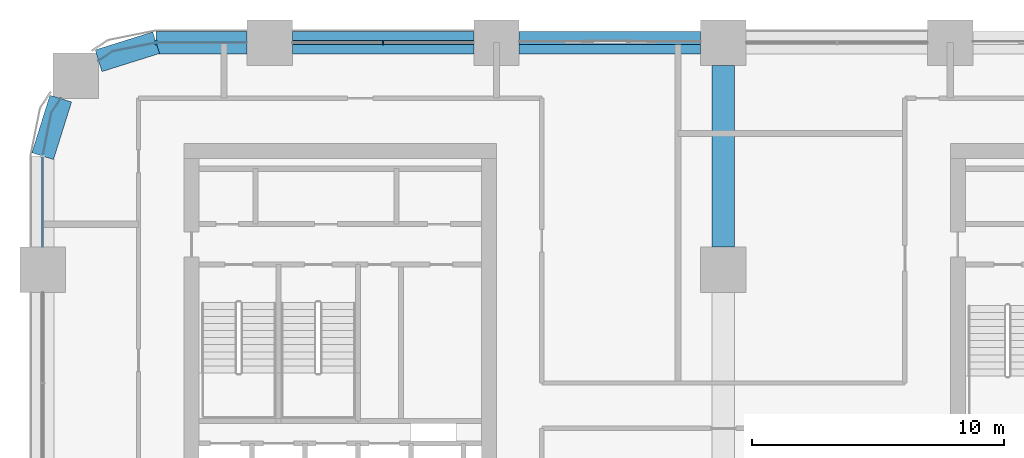
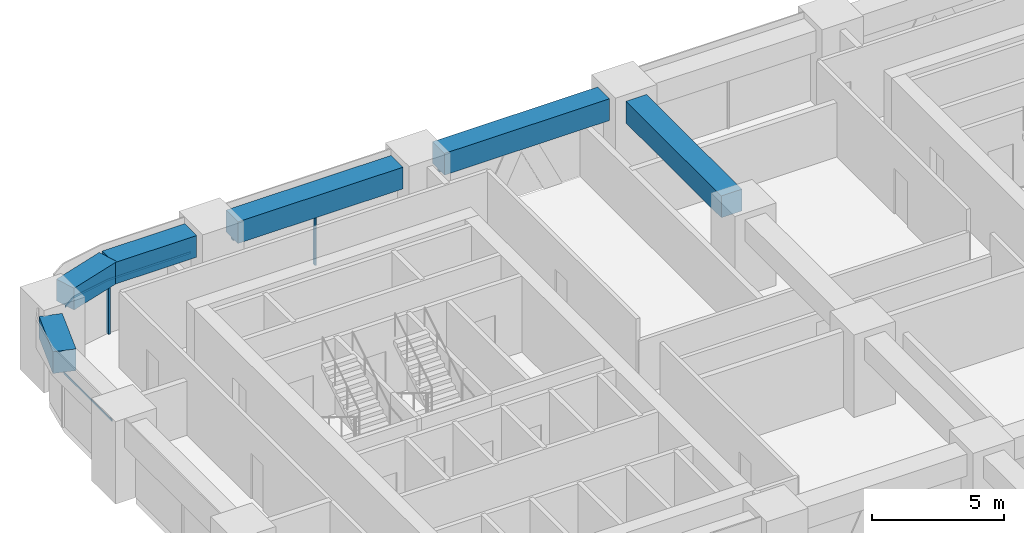
# One storey, part 8 of 24: 6 beams, 6 members, 4 elements without a shape of their own.
"""IFC4 building model written with IfcOpenShell, lengths in metres."""

import ifcopenshell
import ifcopenshell.guid

model = None  # the IFC model being written
_history = None  # IfcOwnerHistory: only IFC2X3 demands one
_inside = {}  # id of a spatial element -> (the spatial element, [elements in it])
_under = {}  # id of a project, library or spatial element -> (it, [spatial elements below it])
_declared = {}  # id of a project -> (the project, [libraries it declares])
_typed = {}  # id of a type object -> (the type object, [elements of that type])
_made_of = {}  # id of a material, layer set ... -> (it, [elements and type objects made of it])


def new_model(schema):
    """Start an empty IFC model of exactly this schema.

    Asked for "IFC4X3", IfcOpenShell would pick the latest addendum, in which some entities
    have other attributes; the version numbers below select the first issue.
    IFC2X3 requires an IfcOwnerHistory on every rooted entity: one is made here for all.
    """
    global model, _history
    if schema == "IFC4X3":
        model = ifcopenshell.file(schema_version=(4, 3, 0, 0))
    else:
        model = ifcopenshell.file(schema=schema)
    _inside.clear()
    _under.clear()
    _declared.clear()
    _typed.clear()
    _made_of.clear()
    _history = None
    if model.schema == "IFC2X3":
        org = make("IfcOrganization", Name="unknown")
        user = make(
            "IfcPersonAndOrganization",
            ThePerson=make("IfcPerson", FamilyName="unknown"),
            TheOrganization=org,
        )
        app = make(
            "IfcApplication",
            ApplicationDeveloper=org,
            Version="unknown",
            ApplicationFullName="unknown",
            ApplicationIdentifier="unknown",
        )
        _history = make(
            "IfcOwnerHistory",
            OwningUser=user,
            OwningApplication=app,
            ChangeAction="ADDED",
            CreationDate=0,
        )
    return model


def make(cls, **values):
    """One entity of the class cls with the attributes given. An attribute that is None is left unset."""
    return model.create_entity(
        cls, **{name: value for name, value in values.items() if value is not None}
    )


def rooted(cls, **values):
    """An entity with a GlobalId (a new one), such as an element, a storey or a relation."""
    return make(cls, GlobalId=ifcopenshell.guid.new(), OwnerHistory=_history, **values)


def si_unit(unit_type, name, prefix=None):
    """IfcSIUnit, for example si_unit("LENGTHUNIT", "METRE", prefix="MILLI")."""
    return make("IfcSIUnit", UnitType=unit_type, Prefix=prefix, Name=name)


def assignment(units):
    """IfcUnitAssignment: the units of a project."""
    return None if units is None else make("IfcUnitAssignment", Units=units)


def point(xyz):
    """IfcCartesianPoint."""
    return None if xyz is None else make("IfcCartesianPoint", Coordinates=xyz)


def direction(xyz):
    """IfcDirection."""
    return None if xyz is None else make("IfcDirection", DirectionRatios=xyz)


def frame(location, z_axis=None, x_axis=None):
    """IfcAxis2Placement3D, a coordinate frame: its origin and axes. An axis left out is left unset."""
    return make(
        "IfcAxis2Placement3D",
        Location=point(location),
        Axis=direction(z_axis),
        RefDirection=direction(x_axis),
    )


def frame_2d(location, x_axis=None):
    """IfcAxis2Placement2D, a coordinate frame in the plane: its origin and x axis."""
    return make(
        "IfcAxis2Placement2D", Location=point(location), RefDirection=direction(x_axis)
    )


def origin():
    """The frame at (0, 0, 0) with its axes left unset."""
    return frame((0.0, 0.0, 0.0))


def origin_2d():
    """The frame at (0, 0) in the plane with its x axis left unset."""
    return frame_2d((0.0, 0.0))


def place(relative_to, where):
    """IfcLocalPlacement: puts the frame where relative to a parent placement (None: the world)."""
    return make(
        "IfcLocalPlacement", PlacementRelTo=relative_to, RelativePlacement=where
    )


def context(
    kind, dimensions, precision=None, world=None, true_north=None, identifier=None
):
    """IfcGeometricRepresentationContext, for example the 3D "Model" context."""
    return make(
        "IfcGeometricRepresentationContext",
        ContextIdentifier=identifier,
        ContextType=kind,
        CoordinateSpaceDimension=dimensions,
        Precision=precision,
        WorldCoordinateSystem=world,
        TrueNorth=true_north,
    )


def subcontext(parent, identifier, kind, view, scale=None):
    """IfcGeometricRepresentationSubContext, for example "Body" below "Model"."""
    return make(
        "IfcGeometricRepresentationSubContext",
        ContextIdentifier=identifier,
        ContextType=kind,
        ParentContext=parent,
        TargetScale=scale,
        TargetView=view,
    )


def project(units=None, contexts=None):
    """IfcProject with its units and contexts."""
    return rooted(
        "IfcProject",
        Name="project",
        RepresentationContexts=contexts,
        UnitsInContext=assignment(units),
    )


def spatial(cls, under=None, at=None, **own):
    """A site, building, storey or space (cls), placed at a placement, below another one or the project."""
    s = rooted(cls, ObjectPlacement=at, **own)
    if under is not None:
        _under.setdefault(under.id(), (under, []))[1].append(s)
    return s


def polyline(points):
    """IfcPolyline through the points."""
    return make("IfcPolyline", Points=[point(p) for p in points])


def profile(cls, at=None, kind="AREA", **sizes):
    """A parametric profile (cls). Its sizes go by their IFC names, for example OverallWidth=200.0."""
    return make(cls, ProfileType=kind, Position=at, **sizes)


def rectangle(**sizes):
    """IfcRectangleProfileDef."""
    return profile("IfcRectangleProfileDef", **sizes)


def outline(outer, holes=None, kind="AREA"):
    """IfcArbitraryClosedProfileDef: a profile drawn as a closed curve; with holes, ...WithVoids."""
    if holes is None:
        return make("IfcArbitraryClosedProfileDef", ProfileType=kind, OuterCurve=outer)
    return make(
        "IfcArbitraryProfileDefWithVoids",
        ProfileType=kind,
        OuterCurve=outer,
        InnerCurves=holes,
    )


def extrude(swept, where, along, depth):
    """IfcExtrudedAreaSolid: the profile swept, set in the frame where, extruded along a direction by depth."""
    return make(
        "IfcExtrudedAreaSolid",
        SweptArea=swept,
        Position=where,
        ExtrudedDirection=direction(along),
        Depth=depth,
    )


def shape(context_of_items, identifier, shape_type, items):
    """IfcShapeRepresentation: the items that make up one representation, for example the "Body"."""
    return make(
        "IfcShapeRepresentation",
        ContextOfItems=context_of_items,
        RepresentationIdentifier=identifier,
        RepresentationType=shape_type,
        Items=items,
    )


def material(Name=None, Category=None):
    """IfcMaterial."""
    return make("IfcMaterial", Name=Name, Category=Category)


def material_profile(
    of_material, cross_section, Name=None, Category=None, Priority=None
):
    """IfcMaterialProfile: a cross section and its material."""
    return make(
        "IfcMaterialProfile",
        Name=Name,
        Material=of_material,
        Profile=cross_section,
        Priority=Priority,
        Category=Category,
    )


def profile_set(profiles, Name=None, composite=None):
    """IfcMaterialProfileSet."""
    return make(
        "IfcMaterialProfileSet",
        Name=Name,
        MaterialProfiles=profiles,
        CompositeProfile=composite,
    )


def made_of(thing, what):
    """Note that an element or type object is made of a material, layer set ...; save() writes the relation."""
    if what is not None:
        _made_of.setdefault(what.id(), (what, []))[1].append(thing)
    return thing


def type_object(cls, material=None, **own):
    """A type object (cls), such as IfcWallType, which elements share."""
    return made_of(rooted(cls, **own), material)


def element(
    cls,
    number,
    at=None,
    inside=None,
    cuts=None,
    type_object=None,
    material=None,
    context=None,
    identifier="Body",
    shape_type=None,
    held_by="IfcProductDefinitionShape",
    body=None,
    shapes=None,
    **own,
):
    """One element of the class cls, such as IfcWall. Its Tag is "e" and its number.

    at: its placement. inside: the storey or other place that contains it. cuts: it is an
    opening in that element (IfcRelVoidsElement). A single representation is given by context,
    identifier, shape_type and body (its items); several are given by shapes. held_by: the class
    of the entity that holds the representations. save() writes the other relations.
    """
    e = rooted(cls, Tag="e%d" % number, ObjectPlacement=at, **own)
    if body is not None:
        shapes = [shape(context, identifier, shape_type, body)]
    if shapes is not None:
        e.Representation = make(held_by, Representations=shapes)
    if inside is not None:
        _inside.setdefault(inside.id(), (inside, []))[1].append(e)
    if cuts is not None:
        rooted(
            "IfcRelVoidsElement", RelatingBuildingElement=cuts, RelatedOpeningElement=e
        )
    if type_object is not None:
        _typed.setdefault(type_object.id(), (type_object, []))[1].append(e)
    return made_of(e, material)


def aggregate(whole, parts):
    """IfcRelAggregates: a whole, such as a stair, and the parts it consists of."""
    return rooted("IfcRelAggregates", RelatingObject=whole, RelatedObjects=parts)


def save(model, path):
    """Write the relations noted so far, then the file.

    IfcRelAggregates (storeys below a building ...), IfcRelContainedInSpatialStructure (elements
    in a storey), IfcRelDefinesByType, IfcRelAssociatesMaterial and IfcRelDeclares: one each for
    every whole, place, type object, material and project.
    """
    for whole, parts in _under.values():
        aggregate(whole, parts)
    for where, things in _inside.values():
        rooted(
            "IfcRelContainedInSpatialStructure",
            RelatedElements=things,
            RelatingStructure=where,
        )
    for kind, things in _typed.values():
        rooted("IfcRelDefinesByType", RelatedObjects=things, RelatingType=kind)
    for what, things in _made_of.values():
        rooted("IfcRelAssociatesMaterial", RelatedObjects=things, RelatingMaterial=what)
    for by, libraries in _declared.values():
        rooted("IfcRelDeclares", RelatingContext=by, RelatedDefinitions=libraries)
    model.write(path)


model = new_model("IFC4")

# Units and contexts
model_context = context("Model", 3, precision=1e-05, world=origin(), true_north=direction((0.0, 1.0)))
body_context = subcontext(model_context, "Body", "Model", "MODEL_VIEW")
ifc_project = project(units=[si_unit("LENGTHUNIT", "METRE"), si_unit("AREAUNIT", "SQUARE_METRE"), si_unit("VOLUMEUNIT", "CUBIC_METRE"), si_unit("PLANEANGLEUNIT", "RADIAN"), si_unit("MASSUNIT", "GRAM", prefix="KILO")], contexts=[model_context])

# Site, building, storey
site_placement = place(None, origin())
site = spatial("IfcSite", under=ifc_project, at=site_placement, CompositionType="ELEMENT")
building_placement = place(site_placement, origin())
building = spatial("IfcBuilding", under=site, at=building_placement, Name="Tessera Arch", CompositionType="ELEMENT")
storey_placement = place(building_placement, frame((0.0, 0.0, 112.0)))
storey = spatial("IfcBuildingStorey", under=building, at=storey_placement, Name="L26", CompositionType="ELEMENT", Elevation=112.0)

# Curtain wall, members
ifc_material_1 = material(Name="CW1 curtain wall")
curtain_wall_type_1 = type_object("IfcCurtainWallType", Name="CW1 curtain wall", PredefinedType="NOTDEFINED", material=ifc_material_1)
curtain_wall_1_placement = place(storey_placement, origin())
curtain_wall_1 = element("IfcCurtainWall", 1, at=curtain_wall_1_placement, inside=storey, type_object=curtain_wall_type_1, Name="CW1 curtain wall N54.0/3 L26", PredefinedType="NOTDEFINED")
ifc_material_2 = material(Name="Anodised aluminium pale metal", Category="aluminium")
ifc_material_profile_1 = material_profile(ifc_material_2, rectangle(XDim=0.159912109375, YDim=0.06005859375, at=origin_2d()), Name="AL 60x160")
ifc_profile_set_1 = profile_set([ifc_material_profile_1], Name="Anodised aluminium pale metal")
member_type_1 = type_object("IfcMemberType", Name="CW1 mullion", PredefinedType="MULLION", material=ifc_profile_set_1)
member_1_placement = place(storey_placement, frame((13.5, 54.0, 0.0), z_axis=(0.0, 0.0, 1.0), x_axis=(0.0, -1.0, 0.0)))
member_1 = element("IfcMember", 2, at=member_1_placement, type_object=member_type_1, Name="CW1 mullion N54.0/3 1", PredefinedType="MULLION", context=body_context, shape_type="SweptSolid", body=[
    extrude(rectangle(XDim=0.159912109375, YDim=0.06005859375, at=origin_2d()), origin(), (0.0, 0.0, 1.0), 2.39990234375),
])
ifc_material_3 = material(Name="Anodised aluminium pale metal", Category="aluminium")
ifc_material_profile_2 = material_profile(ifc_material_3, rectangle(XDim=0.159912109375, YDim=0.10009765625, at=origin_2d()), Name="AL 160x100")
ifc_profile_set_2 = profile_set([ifc_material_profile_2], Name="Anodised aluminium pale metal")
member_type_2 = type_object("IfcMemberType", Name="CW1 transom", PredefinedType="USERDEFINED", material=ifc_profile_set_2)
member_2_placement = place(storey_placement, frame((17.10009765625, 54.0, 2.449951171875), z_axis=(-1.0, 0.0, 0.0), x_axis=(0.0, -1.0, 0.0)))
member_2 = element("IfcMember", 3, at=member_2_placement, type_object=member_type_2, Name="CW1 transom N54.0/3 1.1", ObjectType="TRANSOM", PredefinedType="USERDEFINED", context=body_context, shape_type="SweptSolid", body=[
    extrude(rectangle(XDim=0.159912109375, YDim=0.10009765625, at=origin_2d()), origin(), (0.0, 0.0, 1.0), 7.2001953125),
])
aggregate(curtain_wall_1, [member_1, member_2])

ifc_material_4 = material(Name="CW2 curtain wall")
curtain_wall_type_2 = type_object("IfcCurtainWallType", Name="CW2 curtain wall", PredefinedType="NOTDEFINED", material=ifc_material_4)
curtain_wall_2_placement = place(storey_placement, origin())
curtain_wall_2 = element("IfcCurtainWall", 4, at=curtain_wall_2_placement, inside=storey, type_object=curtain_wall_type_2, Name="CW2 curtain wall N54.0/4 L26", PredefinedType="NOTDEFINED")
ifc_material_5 = material(Name="Anodised aluminium pale metal", Category="aluminium")
ifc_material_profile_3 = material_profile(ifc_material_5, rectangle(XDim=0.199951171875, YDim=0.080078125, at=origin_2d()), Name="AL 80x200")
ifc_profile_set_3 = profile_set([ifc_material_profile_3], Name="Anodised aluminium pale metal")
member_type_3 = type_object("IfcMemberType", Name="CW2 mullion", PredefinedType="MULLION", material=ifc_profile_set_3)
member_3_placement = place(storey_placement, frame((4.5, 54.0, 0.0), z_axis=(0.0, 0.0, 1.0), x_axis=(0.0, -1.0, 0.0)))
member_3 = element("IfcMember", 5, at=member_3_placement, type_object=member_type_3, Name="CW2 mullion N54.0/4 1", PredefinedType="MULLION", context=body_context, shape_type="SweptSolid", body=[
    extrude(rectangle(XDim=0.199951171875, YDim=0.080078125, at=origin_2d()), origin(), (0.0, 0.0, 1.0), 2.39990234375),
])
ifc_material_6 = material(Name="Anodised aluminium pale metal", Category="aluminium")
ifc_material_profile_4 = material_profile(ifc_material_6, rectangle(XDim=0.199951171875, YDim=0.10009765625, at=origin_2d()), Name="AL 200x100")
ifc_profile_set_4 = profile_set([ifc_material_profile_4], Name="Anodised aluminium pale metal")
member_type_4 = type_object("IfcMemberType", Name="CW2 transom", PredefinedType="USERDEFINED", material=ifc_profile_set_4)
member_4_placement = place(storey_placement, frame((0.0, 0.0, 2.39990234375)))
member_4 = element("IfcMember", 6, at=member_4_placement, type_object=member_type_4, Name="CW2 transom N54.0/4 1", ObjectType="TRANSOM", PredefinedType="USERDEFINED", context=body_context, shape_type="SweptSolid", body=[
    extrude(outline(polyline([(4.5009765625, 53.989990234375), (8.10009765625, 53.989990234375), (8.10009765625, 54.010009765625), (4.4990234375, 54.010009765625), (2.77392578125, 53.6669921875), (2.21240234375, 53.29150390625), (2.2236328125, 53.27490234375), (2.78173828125, 53.648193359375), (4.5009765625, 53.989990234375)])), origin(), (0.0, 0.0, 1.0), 0.10009765625),
])
aggregate(curtain_wall_2, [member_3, member_4])

# Curtain wall, member
curtain_wall_3_placement = place(storey_placement, origin())
curtain_wall_3 = element("IfcCurtainWall", 7, at=curtain_wall_3_placement, inside=storey, type_object=curtain_wall_type_2, Name="CW2 curtain wall W0.27/0 L26", PredefinedType="NOTDEFINED")
member_5_placement = place(storey_placement, frame((0.0, 0.0, 2.39990234375)))
member_5 = element("IfcMember", 8, at=member_5_placement, type_object=member_type_4, Name="CW2 transom W0.27/0 1", ObjectType="TRANSOM", PredefinedType="USERDEFINED", context=body_context, shape_type="SweptSolid", body=[
    extrude(outline(polyline([(0.351806640625, 51.21826171875), (0.72509765625, 51.7763671875), (0.70849609375, 51.78759765625), (0.3330078125, 51.22607421875), (-0.010009765625, 49.5009765625), (-0.010009765625, 45.89990234375), (0.010009765625, 45.89990234375), (0.010009765625, 49.4990234375), (0.351806640625, 51.21826171875)])), origin(), (0.0, 0.0, 1.0), 0.10009765625),
])
aggregate(curtain_wall_3, [member_5])

ifc_material_7 = material(Name="CW3 curtain wall")
curtain_wall_type_3 = type_object("IfcCurtainWallType", Name="CW3 curtain wall", PredefinedType="NOTDEFINED", material=ifc_material_7)
curtain_wall_4_placement = place(storey_placement, origin())
curtain_wall_4 = element("IfcCurtainWall", 9, at=curtain_wall_4_placement, inside=storey, type_object=curtain_wall_type_3, Name="CW3 curtain wall N54.0/2 L26", PredefinedType="NOTDEFINED")
ifc_material_8 = material(Name="Anodised aluminium pale metal", Category="aluminium")
ifc_material_profile_5 = material_profile(ifc_material_8, rectangle(XDim=0.139892578125, YDim=0.10009765625, at=origin_2d()), Name="AL 140x100")
ifc_profile_set_5 = profile_set([ifc_material_profile_5], Name="Anodised aluminium pale metal")
member_type_5 = type_object("IfcMemberType", Name="CW3 transom", PredefinedType="USERDEFINED", material=ifc_profile_set_5)
member_6_placement = place(storey_placement, frame((26.10009765625, 54.0, 2.449951171875), z_axis=(-1.0, 0.0, 0.0), x_axis=(0.0, -1.0, 0.0)))
member_6 = element("IfcMember", 10, at=member_6_placement, type_object=member_type_5, Name="CW3 transom N54.0/2 1.1", ObjectType="TRANSOM", PredefinedType="USERDEFINED", context=body_context, shape_type="SweptSolid", body=[
    extrude(rectangle(XDim=0.139892578125, YDim=0.10009765625, at=origin_2d()), origin(), (0.0, 0.0, 1.0), 7.2001953125),
])
aggregate(curtain_wall_4, [member_6])

# Beams
ifc_material_9 = material(Name="Concrete C80/95", Category="concrete")
ifc_material_profile_6 = material_profile(ifc_material_9, rectangle(XDim=0.89990234375, YDim=1.0, at=origin_2d()), Name="RC spandrel beam 900 x 1000 Concrete C80/95")
ifc_profile_set_6 = profile_set([ifc_material_profile_6], Name="Concrete C80/95")
beam_type = type_object("IfcBeamType", Name="RC spandrel beam 900 x 1000 Concrete C80/95", PredefinedType="BEAM", material=ifc_profile_set_6)
for number, where, z_axis, x_axis, name in (
    (11, (26.10009765625, 54.0, 3.0), (-1.0, 0.0, 0.0), (0.0, -1.0, 0.0), "Spandrel beam L26 N54.0/2"),
    (12, (17.10009765625, 54.0, 3.0), (-1.0, 0.0, 0.0), (0.0, -1.0, 0.0), "Spandrel beam L26 N54.0/3"),
):
    element("IfcBeam", number, at=place(storey_placement, frame(where, z_axis=z_axis, x_axis=x_axis)), inside=storey, type_object=beam_type, Name=name, PredefinedType="BEAM", context=body_context, shape_type="SweptSolid", body=[
        extrude(rectangle(XDim=0.89990234375, YDim=1.0, at=origin_2d()), origin(), (0.0, 0.0, 1.0), 7.2001953125),
    ])
beam_1_placement = place(storey_placement, frame((8.10009765625, 54.0, 3.0), z_axis=(-1.0, 0.0, 0.0), x_axis=(0.0, -1.0, 0.0)))
element("IfcBeam", 13, at=beam_1_placement, inside=storey, type_object=beam_type, Name="Spandrel beam L26 N54.0/4.1", PredefinedType="BEAM", context=body_context, shape_type="SweptSolid", body=[
    extrude(rectangle(XDim=0.89990234375, YDim=1.0, at=origin_2d()), origin(), (0.0, 0.0, 1.0), 3.60009765625),
])
for number, where, z_axis, x_axis, name in (
    (14, (4.5, 54.0, 3.0), (-0.954041251279, -0.299675309057, 0.0), (0.299675309057, -0.954041251279, 0.0), "Spandrel beam L26 N54.0/4.2"),
    (15, (0.716796875, 51.781982421875, 3.0), (-0.299675309057, -0.954041251279, 0.0), (0.954041251279, -0.299675309057, 0.0), "Spandrel beam L26 W0.27/0.1"),
):
    element("IfcBeam", number, at=place(storey_placement, frame(where, z_axis=z_axis, x_axis=x_axis)), inside=storey, type_object=beam_type, Name=name, PredefinedType="BEAM", context=body_context, shape_type="SweptSolid", body=[
        extrude(rectangle(XDim=0.89990234375, YDim=1.0, at=origin_2d()), origin(), (0.0, 0.0, 1.0), 2.391845703125),
    ])
beam_2_placement = place(storey_placement, frame((27.0, 45.89990234375, 3.0), z_axis=(0.0, 1.0, 0.0), x_axis=(-1.0, 0.0, 0.0)))
element("IfcBeam", 16, at=beam_2_placement, inside=storey, type_object=beam_type, Name="Interface beam L26 I0C4F-C4G", PredefinedType="BEAM", context=body_context, shape_type="SweptSolid", body=[
    extrude(rectangle(XDim=0.89990234375, YDim=1.0, at=origin_2d()), origin(), (0.0, 0.0, 1.0), 7.2001953125),
])

save(model, "model.ifc")
